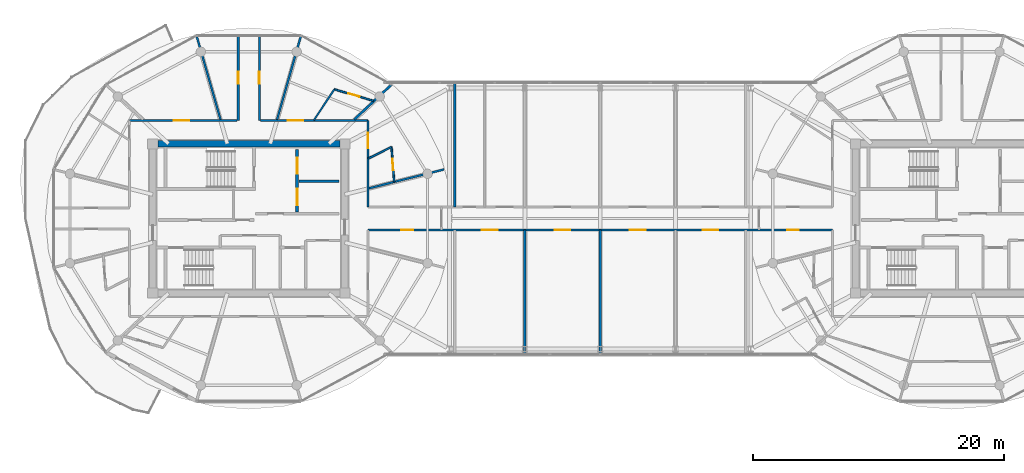
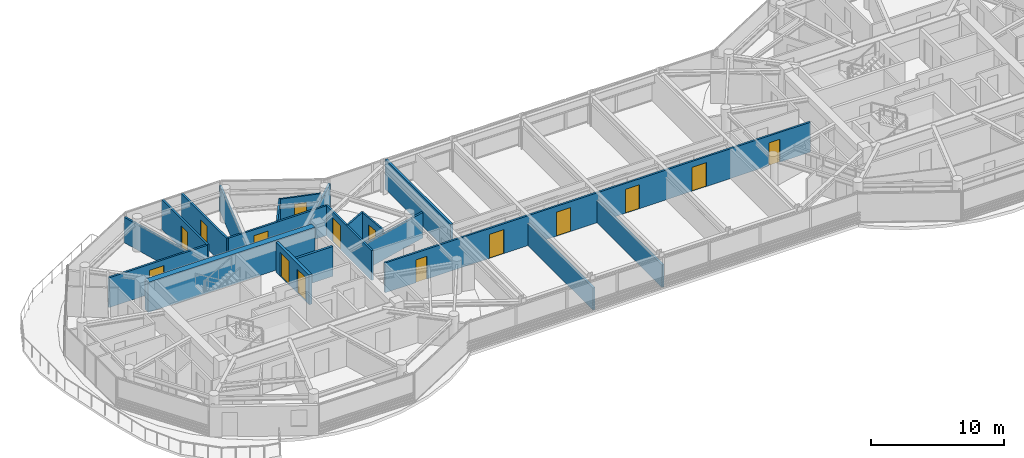
# One storey, part 16 of 24: 20 walls, 15 doors, 15 openings.
"""IFC4 building model written with IfcOpenShell, lengths in metres."""

from ifc_helpers import new_model, si_unit, direction, frame, frame_2d, origin, place, context, subcontext, project, spatial, rectangle, extrude, source, transform, mapped, material, layer, layer_set, type_object, type_shapes, element, fill, save


model = new_model("IFC4")

# Units and contexts
model_context = context("Model", 3, precision=1e-05, world=origin(), true_north=direction((0.0, 1.0)))
body_context = subcontext(model_context, "Body", "Model", "MODEL_VIEW")
ifc_project = project(units=[si_unit("LENGTHUNIT", "METRE"), si_unit("AREAUNIT", "SQUARE_METRE"), si_unit("VOLUMEUNIT", "CUBIC_METRE"), si_unit("PLANEANGLEUNIT", "RADIAN"), si_unit("MASSUNIT", "GRAM", prefix="KILO")], contexts=[model_context])

# Site, building, storey
site_placement = place(None, origin())
site = spatial("IfcSite", under=ifc_project, at=site_placement, CompositionType="ELEMENT")
building_placement = place(site_placement, origin())
building = spatial("IfcBuilding", under=site, at=building_placement, Name="Norrkilde Senior Care Towers", CompositionType="ELEMENT")
storey_placement = place(building_placement, frame((0.0, 0.0, 213.89990234375)))
storey = spatial("IfcBuildingStorey", under=building, at=storey_placement, Name="L66", CompositionType="ELEMENT", Elevation=213.89990234375)

# Wall
ifc_material_1 = material(Name="Concrete C50/60", Category="concrete")
ifc_layer_1 = layer(ifc_material_1, 0.52001953125)
ifc_layer_set_1 = layer_set([ifc_layer_1], Name="Concrete C50/60")
wall_type_1 = type_object("IfcWallType", Name="Core Shear Wall Z4 520", PredefinedType="SHEAR", material=ifc_layer_set_1)
shared_shape_1 = source(origin(), body_context, "Body", "SweptSolid", [
    extrude(rectangle(XDim=14.5, YDim=0.52001953125, at=frame_2d((7.25, 0.0))), origin(), (0.0, 0.0, 1.0), 2.760009765625),
])
type_shapes(wall_type_1, [shared_shape_1])
wall_1_placement = place(storey_placement, frame((-35.25, 5.949951171875, 0.0), z_axis=(0.0, 0.0, 1.0), x_axis=(1.0, 0.0, 0.0)))
element("IfcWall", 1, at=wall_1_placement, inside=storey, type_object=wall_type_1, Name="L66 Core W North Shear Wall", PredefinedType="SHEAR", context=body_context, shape_type="MappedRepresentation", body=[
    mapped(shared_shape_1, transform((0.0, 0.0, 0.0), x_axis=(1.0, 0.0, 0.0), y_axis=(0.0, 1.0, 0.0), z_axis=(0.0, 0.0, 1.0), scale=1.0)),
])

# Wall, openings, doors
ifc_material_2 = material(Name="Concrete C45/55", Category="concrete")
ifc_layer_2 = layer(ifc_material_2, 0.239990234375)
ifc_layer_set_2 = layer_set([ifc_layer_2], Name="Concrete C45/55")
wall_type_2 = type_object("IfcWallType", Name="Lift and Plant Rated Enclosure Partition 240", PredefinedType="PARTITIONING", material=ifc_layer_set_2)
shared_shape_2 = source(origin(), body_context, "Body", "SweptSolid", [
    extrude(rectangle(XDim=5.0, YDim=0.239990234375, at=frame_2d((2.5, 0.0))), origin(), (0.0, 0.0, 1.0), 2.7451171875),
])
type_shapes(wall_type_2, [shared_shape_2])
wall_2_placement = place(storey_placement, frame((-24.139892578125, 0.5, 0.0), z_axis=(0.0, 0.0, 1.0), x_axis=(0.0, 1.0, 0.0)))
wall_2 = element("IfcWall", 2, at=wall_2_placement, inside=storey, type_object=wall_type_2, Name="WL-INT-L66-W-FFLE", PredefinedType="PARTITIONING", context=body_context, shape_type="MappedRepresentation", body=[
    mapped(shared_shape_2, transform((0.0, 0.0, 0.0), x_axis=(1.0, 0.0, 0.0), y_axis=(0.0, 1.0, 0.0), z_axis=(0.0, 0.0, 1.0), scale=1.0)),
])
opening_1_placement = place(wall_2_placement, frame((3.050048828125, 0.0, 0.0)))
opening_1 = element("IfcOpeningElement", 3, at=opening_1_placement, cuts=wall_2, Name="Opening LD-02", PredefinedType="OPENING", context=body_context, shape_type="SweptSolid", body=[
    extrude(rectangle(XDim=1.300048828125, YDim=2.199951171875, at=frame_2d((0.64990234375, 1.10009765625))), frame((0.0, 0.1298828125, 0.0), z_axis=(0.0, -1.0, 0.0), x_axis=(1.0, 0.0, 0.0)), (0.0, 0.0, 1.0), 0.260009765625),
])
opening_2_placement = place(wall_2_placement, frame((0.550048828125, 0.0, 0.0)))
opening_2 = element("IfcOpeningElement", 4, at=opening_2_placement, cuts=wall_2, Name="Opening LD-02", PredefinedType="OPENING", context=body_context, shape_type="SweptSolid", body=[
    extrude(rectangle(XDim=1.300048828125, YDim=2.199951171875, at=frame_2d((0.64990234375, 1.10009765625))), frame((0.0, 0.1298828125, 0.0), z_axis=(0.0, -1.0, 0.0), x_axis=(1.0, 0.0, 0.0)), (0.0, 0.0, 1.0), 0.260009765625),
])
ifc_material_3 = material(Name="Stainless Steel", Category="steel")
door_type_1 = type_object("IfcDoorType", Name="Stretcher and FFL Landing Sliding Door 1300x2200", OperationType="NOTDEFINED", PredefinedType="DOOR", material=ifc_material_3)
shared_shape_3 = source(origin(), body_context, "Body", "SweptSolid", [
    extrude(rectangle(XDim=1.300048828125, YDim=2.199951171875, at=frame_2d((0.64990234375, 1.10009765625))), frame((0.0, 0.02490234375, 0.0), z_axis=(0.0, -1.0, 0.0), x_axis=(1.0, 0.0, 0.0)), (0.0, 0.0, 1.0), 0.050048828125),
])
type_shapes(door_type_1, [shared_shape_3])
door_1_placement = place(opening_1_placement, origin())
door_1 = element("IfcDoor", 5, at=door_1_placement, inside=storey, type_object=door_type_1, Name="L66 Firefighting Lift W1 Landing Door", OperationType="SLIDING_TO_LEFT", OverallHeight=2.199951171875, OverallWidth=1.300048828125, PredefinedType="DOOR", context=body_context, shape_type="MappedRepresentation", body=[
    mapped(shared_shape_3, transform((0.0, 0.0, 0.0), x_axis=(1.0, 0.0, 0.0), y_axis=(0.0, 1.0, 0.0), z_axis=(0.0, 0.0, 1.0), scale=1.0)),
])
fill(opening_1, door_1)
door_2_placement = place(opening_2_placement, origin())
door_2 = element("IfcDoor", 6, at=door_2_placement, inside=storey, type_object=door_type_1, Name="L66 Stretcher Lift W1 Landing Door", OperationType="SLIDING_TO_RIGHT", OverallHeight=2.199951171875, OverallWidth=1.300048828125, PredefinedType="DOOR", context=body_context, shape_type="MappedRepresentation", body=[
    mapped(shared_shape_3, transform((0.0, 0.0, 0.0), x_axis=(1.0, 0.0, 0.0), y_axis=(0.0, 1.0, 0.0), z_axis=(0.0, 0.0, 1.0), scale=1.0)),
])
fill(opening_2, door_2)

# Wall
ifc_layer_3 = layer(ifc_material_2, 0.199951171875)
ifc_layer_set_3 = layer_set([ifc_layer_3], Name="Concrete C45/55")
wall_type_3 = type_object("IfcWallType", Name="Shaft Division and Plant Partition 200", PredefinedType="PARTITIONING", material=ifc_layer_set_3)
shared_shape_4 = source(origin(), body_context, "Body", "SweptSolid", [
    extrude(rectangle(XDim=3.199951171875, YDim=0.199951171875, at=frame_2d((1.60009765625, 0.0))), origin(), (0.0, 0.0, 1.0), 2.7451171875),
])
type_shapes(wall_type_3, [shared_shape_4])
wall_3_placement = place(storey_placement, frame((-24.0, 2.949951171875, 0.0), z_axis=(0.0, 0.0, 1.0), x_axis=(1.0, 0.0, 0.0)))
element("IfcWall", 7, at=wall_3_placement, inside=storey, type_object=wall_type_3, Name="WL-INT-L66-W-FFLDIV", PredefinedType="PARTITIONING", context=body_context, shape_type="MappedRepresentation", body=[
    mapped(shared_shape_4, transform((0.0, 0.0, 0.0), x_axis=(1.0, 0.0, 0.0), y_axis=(0.0, 1.0, 0.0), z_axis=(0.0, 0.0, 1.0), scale=1.0)),
])

# Wall, opening, door
ifc_material_4 = material(Name="Gypsum Acoustic Board")
ifc_layer_4 = layer(ifc_material_4, 0.1650390625)
ifc_layer_set_4 = layer_set([ifc_layer_4], Name="Gypsum Acoustic Board")
wall_type_4 = type_object("IfcWallType", Name="Corridor Rated Partition 165", PredefinedType="PARTITIONING", material=ifc_layer_set_4)
shared_shape_5 = source(origin(), body_context, "Body", "SweptSolid", [
    extrude(rectangle(XDim=8.580078125, YDim=0.1650390625, at=frame_2d((4.2900390625, 0.0))), origin(), (0.0, 0.0, 1.0), 2.7451171875),
])
wall_4_placement = place(storey_placement, frame((-37.5, 7.800048828125, 0.0), z_axis=(0.0, 0.0, 1.0), x_axis=(1.0, 0.0, 0.0)))
wall_4 = element("IfcWall", 8, at=wall_4_placement, inside=storey, type_object=wall_type_4, Name="WL-INT-L66-W-CRW-N-0", PredefinedType="PARTITIONING", context=body_context, shape_type="MappedRepresentation", body=[
    mapped(shared_shape_5, transform((0.0, 0.0, 0.0), x_axis=(1.0, 0.0, 0.0), y_axis=(0.0, 1.0, 0.0), z_axis=(0.0, 0.0, 1.0), scale=1.0)),
])
opening_3_placement = place(wall_4_placement, frame((3.527587890625, 0.0, 0.0)))
opening_3 = element("IfcOpeningElement", 9, at=opening_3_placement, cuts=wall_4, Name="Opening D-05", PredefinedType="OPENING", context=body_context, shape_type="SweptSolid", body=[
    extrude(rectangle(XDim=1.25, YDim=2.199951171875, at=frame_2d((0.625, 1.10009765625))), frame((0.0, 0.092529296875, 0.0), z_axis=(0.0, -1.0, 0.0), x_axis=(1.0, 0.0, 0.0)), (0.0, 0.0, 1.0), 0.18505859375),
])
ifc_material_5 = material(Name="Nordic Ash Timber", Category="wood")
door_type_2 = type_object("IfcDoorType", Name="Care Bedroom Bariatric Door 1250x2200", OperationType="NOTDEFINED", PredefinedType="DOOR", material=ifc_material_5)
shared_shape_6 = source(origin(), body_context, "Body", "SweptSolid", [
    extrude(rectangle(XDim=1.25, YDim=2.199951171875, at=frame_2d((0.625, 1.10009765625))), frame((0.0, 0.02490234375, 0.0), z_axis=(0.0, -1.0, 0.0), x_axis=(1.0, 0.0, 0.0)), (0.0, 0.0, 1.0), 0.050048828125),
])
type_shapes(door_type_2, [shared_shape_6])
door_3_placement = place(opening_3_placement, frame((1.25, 0.0, 0.0), z_axis=(0.0, 0.0, 1.0), x_axis=(-1.0, 0.0, 0.0)))
door_3 = element("IfcDoor", 10, at=door_3_placement, inside=storey, type_object=door_type_2, Name="L66 Geriatric Rehabilitation Clinic Door", OperationType="SINGLE_SWING_RIGHT", OverallHeight=2.199951171875, OverallWidth=1.25, PredefinedType="DOOR", context=body_context, shape_type="MappedRepresentation", body=[
    mapped(shared_shape_6, transform((0.0, 0.0, 0.0), x_axis=(1.0, 0.0, 0.0), y_axis=(0.0, 1.0, 0.0), z_axis=(0.0, 0.0, 1.0), scale=1.0)),
])
fill(opening_3, door_3)

wall_5_placement = place(storey_placement, frame((-27.080078125, 7.800048828125, 0.0), z_axis=(0.0, 0.0, 1.0), x_axis=(1.0, 0.0, 0.0)))
wall_5 = element("IfcWall", 11, at=wall_5_placement, inside=storey, type_object=wall_type_4, Name="WL-INT-L66-W-CRW-N-1", PredefinedType="PARTITIONING", context=body_context, shape_type="MappedRepresentation", body=[
    mapped(shared_shape_5, transform((0.0, 0.0, 0.0), x_axis=(1.0, 0.0, 0.0), y_axis=(0.0, 1.0, 0.0), z_axis=(0.0, 0.0, 1.0), scale=1.0)),
])
opening_4_placement = place(wall_5_placement, frame((2.18017578125, 0.0, 0.0)))
opening_4 = element("IfcOpeningElement", 12, at=opening_4_placement, cuts=wall_5, Name="Opening D-05", PredefinedType="OPENING", context=body_context, shape_type="SweptSolid", body=[
    extrude(rectangle(XDim=1.25, YDim=2.199951171875, at=frame_2d((0.625, 1.10009765625))), frame((0.0, 0.092529296875, 0.0), z_axis=(0.0, -1.0, 0.0), x_axis=(1.0, 0.0, 0.0)), (0.0, 0.0, 1.0), 0.18505859375),
])
door_4_placement = place(opening_4_placement, frame((1.25, 0.0, 0.0), z_axis=(0.0, 0.0, 1.0), x_axis=(-1.0, 0.0, 0.0)))
door_4 = element("IfcDoor", 13, at=door_4_placement, inside=storey, type_object=door_type_2, Name="L66 Care Suite 6601 Entrance Door", OperationType="SINGLE_SWING_RIGHT", OverallHeight=2.199951171875, OverallWidth=1.25, PredefinedType="DOOR", context=body_context, shape_type="MappedRepresentation", body=[
    mapped(shared_shape_6, transform((0.0, 0.0, 0.0), x_axis=(1.0, 0.0, 0.0), y_axis=(0.0, 1.0, 0.0), z_axis=(0.0, 0.0, 1.0), scale=1.0)),
])
fill(opening_4, door_4)

shared_shape_7 = source(origin(), body_context, "Body", "SweptSolid", [
    extrude(rectangle(XDim=6.880126953125, YDim=0.1650390625, at=frame_2d((3.43994140625, 0.0))), origin(), (0.0, 0.0, 1.0), 2.7451171875),
])
wall_6_placement = place(storey_placement, frame((-18.5, 7.800048828125, 0.0), z_axis=(0.0, 0.0, 1.0), x_axis=(0.0, -1.0, 0.0)))
wall_6 = element("IfcWall", 14, at=wall_6_placement, inside=storey, type_object=wall_type_4, Name="WL-INT-L66-W-CRW-E-0", PredefinedType="PARTITIONING", context=body_context, shape_type="MappedRepresentation", body=[
    mapped(shared_shape_7, transform((0.0, 0.0, 0.0), x_axis=(1.0, 0.0, 0.0), y_axis=(0.0, 1.0, 0.0), z_axis=(0.0, 0.0, 1.0), scale=1.0)),
])
opening_5_placement = place(wall_6_placement, frame((0.96826171875, 0.0, 0.0)))
opening_5 = element("IfcOpeningElement", 15, at=opening_5_placement, cuts=wall_6, Name="Opening D-05", PredefinedType="OPENING", context=body_context, shape_type="SweptSolid", body=[
    extrude(rectangle(XDim=1.25, YDim=2.199951171875, at=frame_2d((0.625, 1.10009765625))), frame((0.0, 0.092529296875, 0.0), z_axis=(0.0, -1.0, 0.0), x_axis=(1.0, 0.0, 0.0)), (0.0, 0.0, 1.0), 0.18505859375),
])
door_5_placement = place(opening_5_placement, frame((1.25, 0.0, 0.0), z_axis=(0.0, 0.0, 1.0), x_axis=(-1.0, 0.0, 0.0)))
door_5 = element("IfcDoor", 16, at=door_5_placement, inside=storey, type_object=door_type_2, Name="L66 Care Suite 6600 Entrance Door", OperationType="SINGLE_SWING_LEFT", OverallHeight=2.199951171875, OverallWidth=1.25, PredefinedType="DOOR", context=body_context, shape_type="MappedRepresentation", body=[
    mapped(shared_shape_6, transform((0.0, 0.0, 0.0), x_axis=(1.0, 0.0, 0.0), y_axis=(0.0, 1.0, 0.0), z_axis=(0.0, 0.0, 1.0), scale=1.0)),
])
fill(opening_5, door_5)

shared_shape_8 = source(origin(), body_context, "Body", "SweptSolid", [
    extrude(rectangle(XDim=6.83544921875, YDim=0.1650390625, at=frame_2d((3.417724609375, 0.0))), origin(), (0.0, 0.0, 1.0), 2.7451171875),
])
wall_7_placement = place(storey_placement, frame((-28.840087890625, 7.800048828125, 0.0), z_axis=(0.0, 0.0, 1.0), x_axis=(0.0, 1.0, 0.0)))
wall_7 = element("IfcWall", 17, at=wall_7_placement, inside=storey, type_object=wall_type_4, Name="WL-INT-L66-W-SPK-N1-0", PredefinedType="PARTITIONING", context=body_context, shape_type="MappedRepresentation", body=[
    mapped(shared_shape_8, transform((0.0, 0.0, 0.0), x_axis=(1.0, 0.0, 0.0), y_axis=(0.0, 1.0, 0.0), z_axis=(0.0, 0.0, 1.0), scale=1.0)),
])
opening_6_placement = place(wall_7_placement, frame((2.942626953125, 0.0, 0.0)))
opening_6 = element("IfcOpeningElement", 18, at=opening_6_placement, cuts=wall_7, Name="Opening D-07", PredefinedType="OPENING", context=body_context, shape_type="SweptSolid", body=[
    extrude(rectangle(XDim=0.949951171875, YDim=2.10009765625, at=frame_2d((0.47509765625, 1.050048828125))), frame((0.0, 0.092529296875, 0.0), z_axis=(0.0, -1.0, 0.0), x_axis=(1.0, 0.0, 0.0)), (0.0, 0.0, 1.0), 0.18505859375),
])
door_type_3 = type_object("IfcDoorType", Name="Internal Suite Bedroom Door 950x2100", OperationType="NOTDEFINED", PredefinedType="DOOR", material=ifc_material_5)
shared_shape_9 = source(origin(), body_context, "Body", "SweptSolid", [
    extrude(rectangle(XDim=0.949951171875, YDim=2.10009765625, at=frame_2d((0.47509765625, 1.050048828125))), frame((0.0, 0.02490234375, 0.0), z_axis=(0.0, -1.0, 0.0), x_axis=(1.0, 0.0, 0.0)), (0.0, 0.0, 1.0), 0.050048828125),
])
type_shapes(door_type_3, [shared_shape_9])
door_6_placement = place(opening_6_placement, frame((0.949951171875, 0.0, 0.0), z_axis=(0.0, 0.0, 1.0), x_axis=(-1.0, 0.0, 0.0)))
door_6 = element("IfcDoor", 19, at=door_6_placement, inside=storey, type_object=door_type_3, Name="L66 Sun Reading Lounge 3 Door", OperationType="SINGLE_SWING_RIGHT", OverallHeight=2.10009765625, OverallWidth=0.949951171875, PredefinedType="DOOR", context=body_context, shape_type="MappedRepresentation", body=[
    mapped(shared_shape_9, transform((0.0, 0.0, 0.0), x_axis=(1.0, 0.0, 0.0), y_axis=(0.0, 1.0, 0.0), z_axis=(0.0, 0.0, 1.0), scale=1.0)),
])
fill(opening_6, door_6)

wall_8_placement = place(storey_placement, frame((-27.159912109375, 14.635498046875, 0.0), z_axis=(0.0, 0.0, 1.0), x_axis=(0.0, -1.0, 0.0)))
wall_8 = element("IfcWall", 20, at=wall_8_placement, inside=storey, type_object=wall_type_4, Name="WL-INT-L66-W-SPK-N2-0", PredefinedType="PARTITIONING", context=body_context, shape_type="MappedRepresentation", body=[
    mapped(shared_shape_8, transform((0.0, 0.0, 0.0), x_axis=(1.0, 0.0, 0.0), y_axis=(0.0, 1.0, 0.0), z_axis=(0.0, 0.0, 1.0), scale=1.0)),
])
opening_7_placement = place(wall_8_placement, frame((2.942626953125, 0.0, 0.0)))
opening_7 = element("IfcOpeningElement", 21, at=opening_7_placement, cuts=wall_8, Name="Opening D-07", PredefinedType="OPENING", context=body_context, shape_type="SweptSolid", body=[
    extrude(rectangle(XDim=0.949951171875, YDim=2.10009765625, at=frame_2d((0.47509765625, 1.050048828125))), frame((0.0, 0.092529296875, 0.0), z_axis=(0.0, -1.0, 0.0), x_axis=(1.0, 0.0, 0.0)), (0.0, 0.0, 1.0), 0.18505859375),
])
door_7_placement = place(opening_7_placement, frame((0.949951171875, 0.0, 0.0), z_axis=(0.0, 0.0, 1.0), x_axis=(-1.0, 0.0, 0.0)))
door_7 = element("IfcDoor", 22, at=door_7_placement, inside=storey, type_object=door_type_3, Name="L66 Sun Reading Lounge 4 Door", OperationType="SINGLE_SWING_LEFT", OverallHeight=2.10009765625, OverallWidth=0.949951171875, PredefinedType="DOOR", context=body_context, shape_type="MappedRepresentation", body=[
    mapped(shared_shape_9, transform((0.0, 0.0, 0.0), x_axis=(1.0, 0.0, 0.0), y_axis=(0.0, 1.0, 0.0), z_axis=(0.0, 0.0, 1.0), scale=1.0)),
])
fill(opening_7, door_7)

# Wall
ifc_layer_5 = layer(ifc_material_4, 0.139892578125)
ifc_layer_set_5 = layer_set([ifc_layer_5], Name="Gypsum Acoustic Board")
wall_type_5 = type_object("IfcWallType", Name="En-suite Wet Room Wall 140", PredefinedType="PARTITIONING", material=ifc_layer_set_5)
shared_shape_10 = source(origin(), body_context, "Body", "SweptSolid", [
    extrude(rectangle(XDim=2.059814453125, YDim=0.139892578125, at=frame_2d((1.02978515625, 0.0))), origin(), (0.0, 0.0, 1.0), 2.7451171875),
])
wall_9_placement = place(storey_placement, frame((-18.469970703125, 4.7783203125, 0.0), z_axis=(0.0, 0.0, 1.0), x_axis=(0.893952568722, 0.448161583444, 0.0)))
element("IfcWall", 23, at=wall_9_placement, inside=storey, type_object=wall_type_5, Name="WL-INT-L66-W-ES-00", PredefinedType="PARTITIONING", context=body_context, shape_type="MappedRepresentation", body=[
    mapped(shared_shape_10, transform((0.0, 0.0, 0.0), x_axis=(1.0, 0.0, 0.0), y_axis=(0.0, 1.0, 0.0), z_axis=(0.0, 0.0, 1.0), scale=1.0)),
])

# Wall, opening, door
shared_shape_11 = source(origin(), body_context, "Body", "SweptSolid", [
    extrude(rectangle(XDim=2.79833984375, YDim=0.139892578125, at=frame_2d((1.399169921875, 0.0))), origin(), (0.0, 0.0, 1.0), 2.7451171875),
])
wall_10_placement = place(storey_placement, frame((-16.628662109375, 5.701416015625, 0.0), z_axis=(0.0, 0.0, 1.0), x_axis=(0.077823984089, -0.996967114553, 0.0)))
wall_10 = element("IfcWall", 24, at=wall_10_placement, inside=storey, type_object=wall_type_5, Name="WL-INT-L66-W-EF-00", PredefinedType="PARTITIONING", context=body_context, shape_type="MappedRepresentation", body=[
    mapped(shared_shape_11, transform((0.0, 0.0, 0.0), x_axis=(1.0, 0.0, 0.0), y_axis=(0.0, 1.0, 0.0), z_axis=(0.0, 0.0, 1.0), scale=1.0)),
])
opening_8_placement = place(wall_10_placement, frame((0.939208984375, 0.0, 0.0)))
opening_8 = element("IfcOpeningElement", 25, at=opening_8_placement, cuts=wall_10, Name="Opening D-08", PredefinedType="OPENING", context=body_context, shape_type="SweptSolid", body=[
    extrude(rectangle(XDim=0.919921875, YDim=2.10009765625, at=frame_2d((0.4599609375, 1.050048828125))), frame((0.0, 0.079833984375, 0.0), z_axis=(0.0, -1.0, 0.0), x_axis=(1.0, 0.0, 0.0)), (0.0, 0.0, 1.0), 0.159912109375),
])
door_type_4 = type_object("IfcDoorType", Name="Accessible Wet Room Door 920x2100", OperationType="NOTDEFINED", PredefinedType="DOOR", material=ifc_material_5)
shared_shape_12 = source(origin(), body_context, "Body", "SweptSolid", [
    extrude(rectangle(XDim=0.919921875, YDim=2.10009765625, at=frame_2d((0.4599609375, 1.050048828125))), frame((0.0, 0.02490234375, 0.0), z_axis=(0.0, -1.0, 0.0), x_axis=(1.0, 0.0, 0.0)), (0.0, 0.0, 1.0), 0.050048828125),
])
type_shapes(door_type_4, [shared_shape_12])
door_8_placement = place(opening_8_placement, origin())
door_8 = element("IfcDoor", 26, at=door_8_placement, inside=storey, type_object=door_type_4, Name="L66 Care Suite 6600 Bathroom Door", OperationType="SINGLE_SWING_RIGHT", OverallHeight=2.10009765625, OverallWidth=0.919921875, PredefinedType="DOOR", context=body_context, shape_type="MappedRepresentation", body=[
    mapped(shared_shape_12, transform((0.0, 0.0, 0.0), x_axis=(1.0, 0.0, 0.0), y_axis=(0.0, 1.0, 0.0), z_axis=(0.0, 0.0, 1.0), scale=1.0)),
])
fill(opening_8, door_8)

# Wall
shared_shape_13 = source(origin(), body_context, "Body", "SweptSolid", [
    extrude(rectangle(XDim=2.95263671875, YDim=0.139892578125, at=frame_2d((1.476318359375, 0.0))), origin(), (0.0, 0.0, 1.0), 2.7451171875),
])
wall_11_placement = place(storey_placement, frame((-22.8115234375, 7.830078125, 0.0), z_axis=(0.0, 0.0, 1.0), x_axis=(0.552427436518, 0.833560991999, 0.0)))
element("IfcWall", 27, at=wall_11_placement, inside=storey, type_object=wall_type_5, Name="WL-INT-L66-W-ES-01", PredefinedType="PARTITIONING", context=body_context, shape_type="MappedRepresentation", body=[
    mapped(shared_shape_13, transform((0.0, 0.0, 0.0), x_axis=(1.0, 0.0, 0.0), y_axis=(0.0, 1.0, 0.0), z_axis=(0.0, 0.0, 1.0), scale=1.0)),
])

# Wall, opening, door
shared_shape_14 = source(origin(), body_context, "Body", "SweptSolid", [
    extrude(rectangle(XDim=3.252197265625, YDim=0.139892578125, at=frame_2d((1.6259765625, 0.0))), origin(), (0.0, 0.0, 1.0), 2.7451171875),
])
type_shapes(wall_type_5, [shared_shape_10, shared_shape_11, shared_shape_13, shared_shape_14])
wall_12_placement = place(storey_placement, frame((-21.180419921875, 10.291259765625, 0.0), z_axis=(0.0, 0.0, 1.0), x_axis=(0.959294945864, -0.282406102695, 0.0)))
wall_12 = element("IfcWall", 28, at=wall_12_placement, inside=storey, type_object=wall_type_5, Name="WL-INT-L66-W-EF-01", PredefinedType="PARTITIONING", context=body_context, shape_type="MappedRepresentation", body=[
    mapped(shared_shape_14, transform((0.0, 0.0, 0.0), x_axis=(1.0, 0.0, 0.0), y_axis=(0.0, 1.0, 0.0), z_axis=(0.0, 0.0, 1.0), scale=1.0)),
])
opening_9_placement = place(wall_12_placement, frame((1.166259765625, 0.0, 0.0)))
opening_9 = element("IfcOpeningElement", 29, at=opening_9_placement, cuts=wall_12, Name="Opening D-08", PredefinedType="OPENING", context=body_context, shape_type="SweptSolid", body=[
    extrude(rectangle(XDim=0.919921875, YDim=2.10009765625, at=frame_2d((0.4599609375, 1.050048828125))), frame((0.0, 0.079833984375, 0.0), z_axis=(0.0, -1.0, 0.0), x_axis=(1.0, 0.0, 0.0)), (0.0, 0.0, 1.0), 0.159912109375),
])
door_9_placement = place(opening_9_placement, origin())
door_9 = element("IfcDoor", 30, at=door_9_placement, inside=storey, type_object=door_type_4, Name="L66 Care Suite 6601 Bathroom Door", OperationType="SINGLE_SWING_LEFT", OverallHeight=2.10009765625, OverallWidth=0.919921875, PredefinedType="DOOR", context=body_context, shape_type="MappedRepresentation", body=[
    mapped(shared_shape_12, transform((0.0, 0.0, 0.0), x_axis=(1.0, 0.0, 0.0), y_axis=(0.0, 1.0, 0.0), z_axis=(0.0, 0.0, 1.0), scale=1.0)),
])
fill(opening_9, door_9)

# Walls
shared_shape_15 = source(origin(), body_context, "Body", "SweptSolid", [
    extrude(rectangle(XDim=6.973876953125, YDim=0.1650390625, at=frame_2d((3.48681640625, 0.0))), origin(), (0.0, 0.0, 1.0), 2.34521484375),
])
for number, where, z_axis, x_axis, name in (
    (31, (-25.748779296875, 7.8798828125, 0.0), (0.0, 0.0, 1.0), (0.274707256801, 0.961527910703, 0.0), "WL-INT-L66-W-DEM-02-0"),
    (32, (-30.251220703125, 7.8798828125, 0.0), (0.0, 0.0, 1.0), (-0.274707256801, 0.961527910703, 0.0), "WL-INT-L66-W-DEM-03-0"),
):
    element("IfcWall", number, at=place(storey_placement, frame(where, z_axis=z_axis, x_axis=x_axis)), inside=storey, type_object=wall_type_4, Name=name, PredefinedType="PARTITIONING", context=body_context, shape_type="MappedRepresentation", body=[
        mapped(shared_shape_15, transform((0.0, 0.0, 0.0), x_axis=(1.0, 0.0, 0.0), y_axis=(0.0, 1.0, 0.0), z_axis=(0.0, 0.0, 1.0), scale=1.0)),
    ])
shared_shape_16 = source(origin(), body_context, "Body", "SweptSolid", [
    extrude(rectangle(XDim=6.1572265625, YDim=0.1650390625, at=frame_2d((3.07861328125, 0.0))), origin(), (0.0, 0.0, 1.0), 2.34521484375),
])
wall_13_placement = place(storey_placement, frame((-18.419921875, 2.407470703125, 0.0), z_axis=(0.0, 0.0, 1.0), x_axis=(0.969840867184, 0.243738984038, 0.0)))
element("IfcWall", 33, at=wall_13_placement, inside=storey, type_object=wall_type_4, Name="WL-INT-L66-W-DEM-00-0", PredefinedType="PARTITIONING", context=body_context, shape_type="MappedRepresentation", body=[
    mapped(shared_shape_16, transform((0.0, 0.0, 0.0), x_axis=(1.0, 0.0, 0.0), y_axis=(0.0, 1.0, 0.0), z_axis=(0.0, 0.0, 1.0), scale=1.0)),
])
ifc_layer_6 = layer(ifc_material_4, 0.18994140625)
ifc_layer_set_6 = layer_set([ifc_layer_6], Name="Gypsum Acoustic Board")
wall_type_6 = type_object("IfcWallType", Name="Unit Demising Acoustic Wall 190", PredefinedType="PARTITIONING", material=ifc_layer_set_6)
shared_shape_17 = source(origin(), body_context, "Body", "SweptSolid", [
    extrude(rectangle(XDim=4.089111328125, YDim=0.18994140625, at=frame_2d((2.04443359375, 0.0))), origin(), (0.0, 0.0, 1.0), 2.34521484375),
])
wall_14_placement = place(storey_placement, frame((-19.59814453125, 7.8798828125, 0.0), z_axis=(0.0, 0.0, 1.0), x_axis=(0.729401273609, 0.684086092577, 0.0)))
element("IfcWall", 34, at=wall_14_placement, inside=storey, type_object=wall_type_6, Name="WL-INT-L66-W-DEM-01-0", PredefinedType="PARTITIONING", context=body_context, shape_type="MappedRepresentation", body=[
    mapped(shared_shape_17, transform((0.0, 0.0, 0.0), x_axis=(1.0, 0.0, 0.0), y_axis=(0.0, 1.0, 0.0), z_axis=(0.0, 0.0, 1.0), scale=1.0)),
])

# Wall, openings, doors
shared_shape_18 = source(origin(), body_context, "Body", "SweptSolid", [
    extrude(rectangle(XDim=37.0, YDim=0.1650390625, at=frame_2d((18.5, 0.0))), origin(), (0.0, 0.0, 1.0), 2.7451171875),
])
type_shapes(wall_type_4, [shared_shape_5, shared_shape_7, shared_shape_8, shared_shape_15, shared_shape_16, shared_shape_18])
wall_15_placement = place(storey_placement, frame((-18.5, -0.919921875, 0.0), z_axis=(0.0, 0.0, 1.0), x_axis=(1.0, 0.0, 0.0)))
wall_15 = element("IfcWall", 35, at=wall_15_placement, inside=storey, type_object=wall_type_4, Name="WL-INT-L66-BR-CS", PredefinedType="PARTITIONING", context=body_context, shape_type="MappedRepresentation", body=[
    mapped(shared_shape_18, transform((0.0, 0.0, 0.0), x_axis=(1.0, 0.0, 0.0), y_axis=(0.0, 1.0, 0.0), z_axis=(0.0, 0.0, 1.0), scale=1.0)),
])
opening_10_placement = place(wall_15_placement, frame((2.66162109375, 0.0, 0.0)))
opening_10 = element("IfcOpeningElement", 36, at=opening_10_placement, cuts=wall_15, Name="Opening D-07", PredefinedType="OPENING", context=body_context, shape_type="SweptSolid", body=[
    extrude(rectangle(XDim=0.949951171875, YDim=2.10009765625, at=frame_2d((0.47509765625, 1.050048828125))), frame((0.0, 0.092529296875, 0.0), z_axis=(0.0, -1.0, 0.0), x_axis=(1.0, 0.0, 0.0)), (0.0, 0.0, 1.0), 0.18505859375),
])
opening_11_placement = place(wall_15_placement, frame((33.38818359375, 0.0, 0.0)))
opening_11 = element("IfcOpeningElement", 37, at=opening_11_placement, cuts=wall_15, Name="Opening D-07", PredefinedType="OPENING", context=body_context, shape_type="SweptSolid", body=[
    extrude(rectangle(XDim=0.949951171875, YDim=2.10009765625, at=frame_2d((0.47509765625, 1.050048828125))), frame((0.0, 0.092529296875, 0.0), z_axis=(0.0, -1.0, 0.0), x_axis=(1.0, 0.0, 0.0)), (0.0, 0.0, 1.0), 0.18505859375),
])
opening_12_placement = place(wall_15_placement, frame((9.074951171875, 0.0, 0.0)))
opening_12 = element("IfcOpeningElement", 38, at=opening_12_placement, cuts=wall_15, Name="Opening D-05", PredefinedType="OPENING", context=body_context, shape_type="SweptSolid", body=[
    extrude(rectangle(XDim=1.25, YDim=2.199951171875, at=frame_2d((0.625, 1.10009765625))), frame((0.0, 0.092529296875, 0.0), z_axis=(0.0, -1.0, 0.0), x_axis=(1.0, 0.0, 0.0)), (0.0, 0.0, 1.0), 0.18505859375),
])
opening_13_placement = place(wall_15_placement, frame((14.875, 0.0, 0.0)))
opening_13 = element("IfcOpeningElement", 39, at=opening_13_placement, cuts=wall_15, Name="Opening D-05", PredefinedType="OPENING", context=body_context, shape_type="SweptSolid", body=[
    extrude(rectangle(XDim=1.25, YDim=2.199951171875, at=frame_2d((0.625, 1.10009765625))), frame((0.0, 0.092529296875, 0.0), z_axis=(0.0, -1.0, 0.0), x_axis=(1.0, 0.0, 0.0)), (0.0, 0.0, 1.0), 0.18505859375),
])
opening_14_placement = place(wall_15_placement, frame((20.875, 0.0, 0.0)))
opening_14 = element("IfcOpeningElement", 40, at=opening_14_placement, cuts=wall_15, Name="Opening D-05", PredefinedType="OPENING", context=body_context, shape_type="SweptSolid", body=[
    extrude(rectangle(XDim=1.25, YDim=2.199951171875, at=frame_2d((0.625, 1.10009765625))), frame((0.0, 0.092529296875, 0.0), z_axis=(0.0, -1.0, 0.0), x_axis=(1.0, 0.0, 0.0)), (0.0, 0.0, 1.0), 0.18505859375),
])
opening_15_placement = place(wall_15_placement, frame((26.675048828125, 0.0, 0.0)))
opening_15 = element("IfcOpeningElement", 41, at=opening_15_placement, cuts=wall_15, Name="Opening D-05", PredefinedType="OPENING", context=body_context, shape_type="SweptSolid", body=[
    extrude(rectangle(XDim=1.25, YDim=2.199951171875, at=frame_2d((0.625, 1.10009765625))), frame((0.0, 0.092529296875, 0.0), z_axis=(0.0, -1.0, 0.0), x_axis=(1.0, 0.0, 0.0)), (0.0, 0.0, 1.0), 0.18505859375),
])
door_10_placement = place(opening_12_placement, origin())
door_10 = element("IfcDoor", 42, at=door_10_placement, inside=storey, type_object=door_type_2, Name="L66 Bridge South Room 1 Door", OperationType="SINGLE_SWING_LEFT", OverallHeight=2.199951171875, OverallWidth=1.25, PredefinedType="DOOR", context=body_context, shape_type="MappedRepresentation", body=[
    mapped(shared_shape_6, transform((0.0, 0.0, 0.0), x_axis=(1.0, 0.0, 0.0), y_axis=(0.0, 1.0, 0.0), z_axis=(0.0, 0.0, 1.0), scale=1.0)),
])
fill(opening_12, door_10)
door_11_placement = place(opening_13_placement, origin())
door_11 = element("IfcDoor", 43, at=door_11_placement, inside=storey, type_object=door_type_2, Name="L66 Bridge South Room 2 Door", OperationType="SINGLE_SWING_RIGHT", OverallHeight=2.199951171875, OverallWidth=1.25, PredefinedType="DOOR", context=body_context, shape_type="MappedRepresentation", body=[
    mapped(shared_shape_6, transform((0.0, 0.0, 0.0), x_axis=(1.0, 0.0, 0.0), y_axis=(0.0, 1.0, 0.0), z_axis=(0.0, 0.0, 1.0), scale=1.0)),
])
fill(opening_13, door_11)
door_12_placement = place(opening_14_placement, origin())
door_12 = element("IfcDoor", 44, at=door_12_placement, inside=storey, type_object=door_type_2, Name="L66 Bridge South Room 3 Door", OperationType="SINGLE_SWING_LEFT", OverallHeight=2.199951171875, OverallWidth=1.25, PredefinedType="DOOR", context=body_context, shape_type="MappedRepresentation", body=[
    mapped(shared_shape_6, transform((0.0, 0.0, 0.0), x_axis=(1.0, 0.0, 0.0), y_axis=(0.0, 1.0, 0.0), z_axis=(0.0, 0.0, 1.0), scale=1.0)),
])
fill(opening_14, door_12)
door_13_placement = place(opening_15_placement, origin())
door_13 = element("IfcDoor", 45, at=door_13_placement, inside=storey, type_object=door_type_2, Name="L66 Bridge South Room 4 Door", OperationType="SINGLE_SWING_RIGHT", OverallHeight=2.199951171875, OverallWidth=1.25, PredefinedType="DOOR", context=body_context, shape_type="MappedRepresentation", body=[
    mapped(shared_shape_6, transform((0.0, 0.0, 0.0), x_axis=(1.0, 0.0, 0.0), y_axis=(0.0, 1.0, 0.0), z_axis=(0.0, 0.0, 1.0), scale=1.0)),
])
fill(opening_15, door_13)
door_14_placement = place(opening_10_placement, frame((0.949951171875, 0.0, 0.0), z_axis=(0.0, 0.0, 1.0), x_axis=(-1.0, 0.0, 0.0)))
door_14 = element("IfcDoor", 46, at=door_14_placement, inside=storey, type_object=door_type_3, Name="L66 Sun Reading Lounge 5 Door", OperationType="SINGLE_SWING_RIGHT", OverallHeight=2.10009765625, OverallWidth=0.949951171875, PredefinedType="DOOR", context=body_context, shape_type="MappedRepresentation", body=[
    mapped(shared_shape_9, transform((0.0, 0.0, 0.0), x_axis=(1.0, 0.0, 0.0), y_axis=(0.0, 1.0, 0.0), z_axis=(0.0, 0.0, 1.0), scale=1.0)),
])
fill(opening_10, door_14)
door_15_placement = place(opening_11_placement, frame((0.949951171875, 0.0, 0.0), z_axis=(0.0, 0.0, 1.0), x_axis=(-1.0, 0.0, 0.0)))
door_15 = element("IfcDoor", 47, at=door_15_placement, inside=storey, type_object=door_type_3, Name="L66 Sun Reading Lounge 1 Door", OperationType="SINGLE_SWING_RIGHT", OverallHeight=2.10009765625, OverallWidth=0.949951171875, PredefinedType="DOOR", context=body_context, shape_type="MappedRepresentation", body=[
    mapped(shared_shape_9, transform((0.0, 0.0, 0.0), x_axis=(1.0, 0.0, 0.0), y_axis=(0.0, 1.0, 0.0), z_axis=(0.0, 0.0, 1.0), scale=1.0)),
])
fill(opening_11, door_15)

# Walls
shared_shape_19 = source(origin(), body_context, "Body", "SweptSolid", [
    extrude(rectangle(XDim=9.880126953125, YDim=0.18994140625, at=frame_2d((4.93994140625, 0.0))), origin(), (0.0, 0.0, 1.0), 2.7451171875),
])
wall_16_placement = place(storey_placement, frame((-11.60009765625, 0.919921875, 0.0), z_axis=(0.0, 0.0, 1.0), x_axis=(0.0, 1.0, 0.0)))
element("IfcWall", 48, at=wall_16_placement, inside=storey, type_object=wall_type_6, Name="WL-INT-L66-BR-EN-12", PredefinedType="PARTITIONING", context=body_context, shape_type="MappedRepresentation", body=[
    mapped(shared_shape_19, transform((0.0, 0.0, 0.0), x_axis=(1.0, 0.0, 0.0), y_axis=(0.0, 1.0, 0.0), z_axis=(0.0, 0.0, 1.0), scale=1.0)),
])
shared_shape_20 = source(origin(), body_context, "Body", "SweptSolid", [
    extrude(rectangle(XDim=9.880126953125, YDim=0.18994140625, at=frame_2d((4.93994140625, 0.0))), origin(), (0.0, 0.0, 1.0), 2.045166015625),
])
type_shapes(wall_type_6, [shared_shape_17, shared_shape_19, shared_shape_20])
for number, where, z_axis, x_axis, name in (
    (49, (-6.0, -10.800048828125, 0.0), (0.0, 0.0, 1.0), (0.0, 1.0, 0.0), "WL-INT-L66-BR-VS1"),
    (50, (0.0, -10.800048828125, 0.0), (0.0, 0.0, 1.0), (0.0, 1.0, 0.0), "WL-INT-L66-BR-VS2"),
):
    element("IfcWall", number, at=place(storey_placement, frame(where, z_axis=z_axis, x_axis=x_axis)), inside=storey, type_object=wall_type_6, Name=name, PredefinedType="PARTITIONING", context=body_context, shape_type="MappedRepresentation", body=[
        mapped(shared_shape_20, transform((0.0, 0.0, 0.0), x_axis=(1.0, 0.0, 0.0), y_axis=(0.0, 1.0, 0.0), z_axis=(0.0, 0.0, 1.0), scale=1.0)),
    ])

save(model, "model.ifc")
